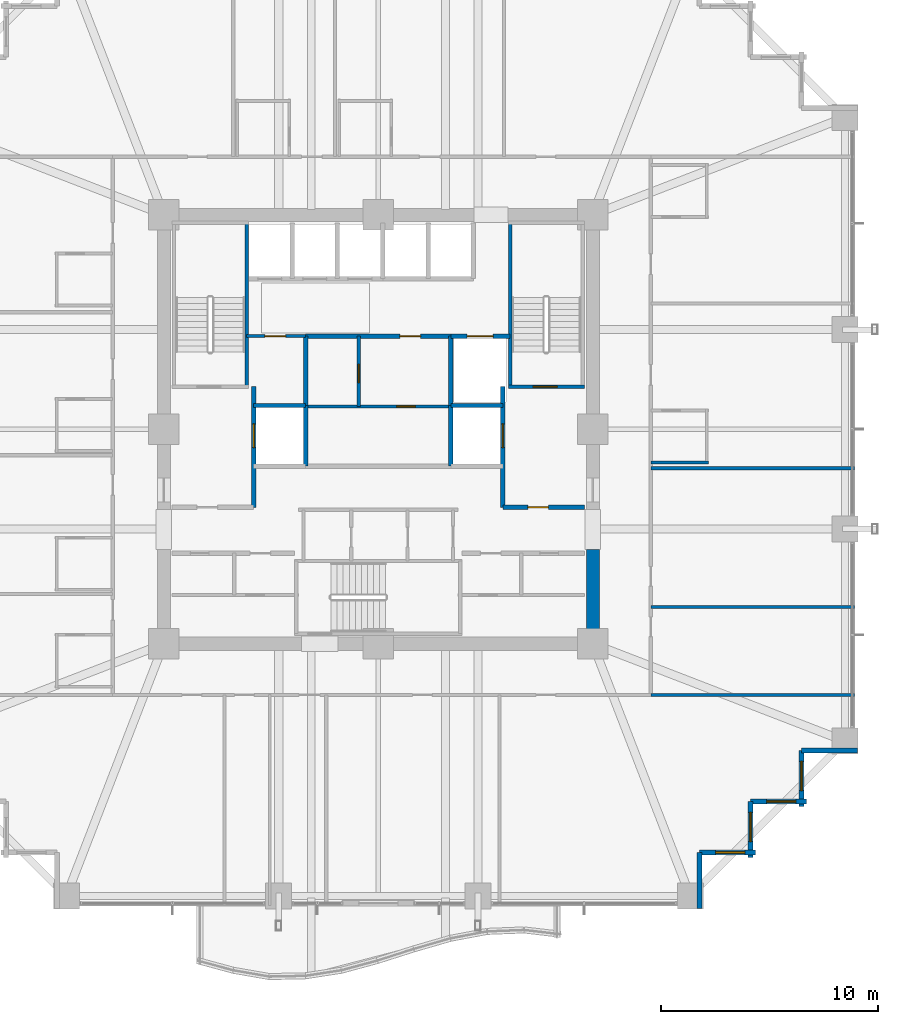
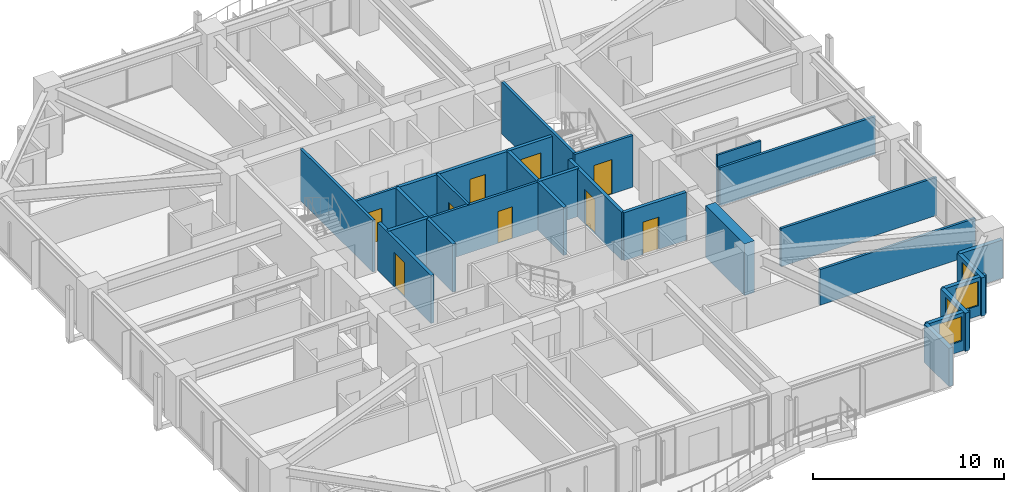
# One storey, part 33 of 38: 28 walls, 9 doors, 4 windows, 13 openings.
"""IFC4 building model written with IfcOpenShell, lengths in metres."""

import ifcopenshell
import ifcopenshell.guid

model = None  # the IFC model being written
_history = None  # IfcOwnerHistory: only IFC2X3 demands one
_inside = {}  # id of a spatial element -> (the spatial element, [elements in it])
_under = {}  # id of a project, library or spatial element -> (it, [spatial elements below it])
_declared = {}  # id of a project -> (the project, [libraries it declares])
_typed = {}  # id of a type object -> (the type object, [elements of that type])
_made_of = {}  # id of a material, layer set ... -> (it, [elements and type objects made of it])


def new_model(schema):
    """Start an empty IFC model of exactly this schema.

    Asked for "IFC4X3", IfcOpenShell would pick the latest addendum, in which some entities
    have other attributes; the version numbers below select the first issue.
    IFC2X3 requires an IfcOwnerHistory on every rooted entity: one is made here for all.
    """
    global model, _history
    if schema == "IFC4X3":
        model = ifcopenshell.file(schema_version=(4, 3, 0, 0))
    else:
        model = ifcopenshell.file(schema=schema)
    _inside.clear()
    _under.clear()
    _declared.clear()
    _typed.clear()
    _made_of.clear()
    _history = None
    if model.schema == "IFC2X3":
        org = make("IfcOrganization", Name="unknown")
        user = make(
            "IfcPersonAndOrganization",
            ThePerson=make("IfcPerson", FamilyName="unknown"),
            TheOrganization=org,
        )
        app = make(
            "IfcApplication",
            ApplicationDeveloper=org,
            Version="unknown",
            ApplicationFullName="unknown",
            ApplicationIdentifier="unknown",
        )
        _history = make(
            "IfcOwnerHistory",
            OwningUser=user,
            OwningApplication=app,
            ChangeAction="ADDED",
            CreationDate=0,
        )
    return model


def make(cls, **values):
    """One entity of the class cls with the attributes given. An attribute that is None is left unset."""
    return model.create_entity(
        cls, **{name: value for name, value in values.items() if value is not None}
    )


def rooted(cls, **values):
    """An entity with a GlobalId (a new one), such as an element, a storey or a relation."""
    return make(cls, GlobalId=ifcopenshell.guid.new(), OwnerHistory=_history, **values)


def si_unit(unit_type, name, prefix=None):
    """IfcSIUnit, for example si_unit("LENGTHUNIT", "METRE", prefix="MILLI")."""
    return make("IfcSIUnit", UnitType=unit_type, Prefix=prefix, Name=name)


def assignment(units):
    """IfcUnitAssignment: the units of a project."""
    return None if units is None else make("IfcUnitAssignment", Units=units)


def point(xyz):
    """IfcCartesianPoint."""
    return None if xyz is None else make("IfcCartesianPoint", Coordinates=xyz)


def direction(xyz):
    """IfcDirection."""
    return None if xyz is None else make("IfcDirection", DirectionRatios=xyz)


def frame(location, z_axis=None, x_axis=None):
    """IfcAxis2Placement3D, a coordinate frame: its origin and axes. An axis left out is left unset."""
    return make(
        "IfcAxis2Placement3D",
        Location=point(location),
        Axis=direction(z_axis),
        RefDirection=direction(x_axis),
    )


def frame_2d(location, x_axis=None):
    """IfcAxis2Placement2D, a coordinate frame in the plane: its origin and x axis."""
    return make(
        "IfcAxis2Placement2D", Location=point(location), RefDirection=direction(x_axis)
    )


def origin():
    """The frame at (0, 0, 0) with its axes left unset."""
    return frame((0.0, 0.0, 0.0))


def place(relative_to, where):
    """IfcLocalPlacement: puts the frame where relative to a parent placement (None: the world)."""
    return make(
        "IfcLocalPlacement", PlacementRelTo=relative_to, RelativePlacement=where
    )


def context(
    kind, dimensions, precision=None, world=None, true_north=None, identifier=None
):
    """IfcGeometricRepresentationContext, for example the 3D "Model" context."""
    return make(
        "IfcGeometricRepresentationContext",
        ContextIdentifier=identifier,
        ContextType=kind,
        CoordinateSpaceDimension=dimensions,
        Precision=precision,
        WorldCoordinateSystem=world,
        TrueNorth=true_north,
    )


def subcontext(parent, identifier, kind, view, scale=None):
    """IfcGeometricRepresentationSubContext, for example "Body" below "Model"."""
    return make(
        "IfcGeometricRepresentationSubContext",
        ContextIdentifier=identifier,
        ContextType=kind,
        ParentContext=parent,
        TargetScale=scale,
        TargetView=view,
    )


def project(units=None, contexts=None):
    """IfcProject with its units and contexts."""
    return rooted(
        "IfcProject",
        Name="project",
        RepresentationContexts=contexts,
        UnitsInContext=assignment(units),
    )


def spatial(cls, under=None, at=None, **own):
    """A site, building, storey or space (cls), placed at a placement, below another one or the project."""
    s = rooted(cls, ObjectPlacement=at, **own)
    if under is not None:
        _under.setdefault(under.id(), (under, []))[1].append(s)
    return s


def profile(cls, at=None, kind="AREA", **sizes):
    """A parametric profile (cls). Its sizes go by their IFC names, for example OverallWidth=200.0."""
    return make(cls, ProfileType=kind, Position=at, **sizes)


def rectangle(**sizes):
    """IfcRectangleProfileDef."""
    return profile("IfcRectangleProfileDef", **sizes)


def extrude(swept, where, along, depth):
    """IfcExtrudedAreaSolid: the profile swept, set in the frame where, extruded along a direction by depth."""
    return make(
        "IfcExtrudedAreaSolid",
        SweptArea=swept,
        Position=where,
        ExtrudedDirection=direction(along),
        Depth=depth,
    )


def shape(context_of_items, identifier, shape_type, items):
    """IfcShapeRepresentation: the items that make up one representation, for example the "Body"."""
    return make(
        "IfcShapeRepresentation",
        ContextOfItems=context_of_items,
        RepresentationIdentifier=identifier,
        RepresentationType=shape_type,
        Items=items,
    )


def material(Name=None, Category=None):
    """IfcMaterial."""
    return make("IfcMaterial", Name=Name, Category=Category)


def layer(
    of_material, thickness, ventilated=None, Name=None, Category=None, Priority=None
):
    """IfcMaterialLayer: one layer of a wall or slab, of a material (None: an air gap)."""
    return make(
        "IfcMaterialLayer",
        Material=of_material,
        LayerThickness=thickness,
        IsVentilated=ventilated,
        Name=Name,
        Category=Category,
        Priority=Priority,
    )


def layer_set(layers, Name=None):
    """IfcMaterialLayerSet."""
    return make("IfcMaterialLayerSet", MaterialLayers=layers, LayerSetName=Name)


def made_of(thing, what):
    """Note that an element or type object is made of a material, layer set ...; save() writes the relation."""
    if what is not None:
        _made_of.setdefault(what.id(), (what, []))[1].append(thing)
    return thing


def type_object(cls, material=None, **own):
    """A type object (cls), such as IfcWallType, which elements share."""
    return made_of(rooted(cls, **own), material)


def element(
    cls,
    number,
    at=None,
    inside=None,
    cuts=None,
    type_object=None,
    material=None,
    context=None,
    identifier="Body",
    shape_type=None,
    held_by="IfcProductDefinitionShape",
    body=None,
    shapes=None,
    **own,
):
    """One element of the class cls, such as IfcWall. Its Tag is "e" and its number.

    at: its placement. inside: the storey or other place that contains it. cuts: it is an
    opening in that element (IfcRelVoidsElement). A single representation is given by context,
    identifier, shape_type and body (its items); several are given by shapes. held_by: the class
    of the entity that holds the representations. save() writes the other relations.
    """
    e = rooted(cls, Tag="e%d" % number, ObjectPlacement=at, **own)
    if body is not None:
        shapes = [shape(context, identifier, shape_type, body)]
    if shapes is not None:
        e.Representation = make(held_by, Representations=shapes)
    if inside is not None:
        _inside.setdefault(inside.id(), (inside, []))[1].append(e)
    if cuts is not None:
        rooted(
            "IfcRelVoidsElement", RelatingBuildingElement=cuts, RelatedOpeningElement=e
        )
    if type_object is not None:
        _typed.setdefault(type_object.id(), (type_object, []))[1].append(e)
    return made_of(e, material)


def fill(opening, filler):
    """IfcRelFillsElement: the door or window that sits in an opening."""
    return rooted(
        "IfcRelFillsElement",
        RelatingOpeningElement=opening,
        RelatedBuildingElement=filler,
    )


def aggregate(whole, parts):
    """IfcRelAggregates: a whole, such as a stair, and the parts it consists of."""
    return rooted("IfcRelAggregates", RelatingObject=whole, RelatedObjects=parts)


def save(model, path):
    """Write the relations noted so far, then the file.

    IfcRelAggregates (storeys below a building ...), IfcRelContainedInSpatialStructure (elements
    in a storey), IfcRelDefinesByType, IfcRelAssociatesMaterial and IfcRelDeclares: one each for
    every whole, place, type object, material and project.
    """
    for whole, parts in _under.values():
        aggregate(whole, parts)
    for where, things in _inside.values():
        rooted(
            "IfcRelContainedInSpatialStructure",
            RelatedElements=things,
            RelatingStructure=where,
        )
    for kind, things in _typed.values():
        rooted("IfcRelDefinesByType", RelatedObjects=things, RelatingType=kind)
    for what, things in _made_of.values():
        rooted("IfcRelAssociatesMaterial", RelatedObjects=things, RelatingMaterial=what)
    for by, libraries in _declared.values():
        rooted("IfcRelDeclares", RelatingContext=by, RelatedDefinitions=libraries)
    model.write(path)


model = new_model("IFC4")

# Units and contexts
model_context = context("Model", 3, precision=1e-05, world=origin(), true_north=direction((0.0, 1.0)))
body_context = subcontext(model_context, "Body", "Model", "MODEL_VIEW")
ifc_project = project(units=[si_unit("LENGTHUNIT", "METRE"), si_unit("AREAUNIT", "SQUARE_METRE"), si_unit("VOLUMEUNIT", "CUBIC_METRE"), si_unit("PLANEANGLEUNIT", "RADIAN"), si_unit("MASSUNIT", "GRAM", prefix="KILO")], contexts=[model_context])

# Site, building, storey
site_placement = place(None, origin())
site = spatial("IfcSite", under=ifc_project, at=site_placement, CompositionType="ELEMENT")
building_placement = place(site_placement, origin())
building = spatial("IfcBuilding", under=site, at=building_placement, Name="Kolvaren Belvedere", CompositionType="ELEMENT")
storey_placement = place(building_placement, frame((0.0, 0.0, 50.199951171875)))
storey = spatial("IfcBuildingStorey", under=building, at=storey_placement, Name="L14", CompositionType="ELEMENT", Elevation=50.199951171875)

# Walls
ifc_material_1 = material(Name="Concrete C60/75", Category="concrete")
ifc_layer_1 = layer(ifc_material_1, 0.60009765625)
ifc_layer_set_1 = layer_set([ifc_layer_1], Name="Concrete C60/75")
wall_type_1 = type_object("IfcWallType", Name="CW-CORE-600", PredefinedType="SHEAR", material=ifc_layer_set_1)
wall_1_placement = place(storey_placement, frame((9.89990234375, -9.60009765625, 0.0), z_axis=(0.0, 0.0, 1.0), x_axis=(0.0, 1.0, 0.0)))
element("IfcWall", 1, at=wall_1_placement, inside=storey, type_object=wall_type_1, Name="L14 East Core Shear Wall 1", PredefinedType="SHEAR", context=body_context, shape_type="SweptSolid", body=[
    extrude(rectangle(XDim=4.050048828125, YDim=0.60009765625, at=frame_2d((2.02490234375, 0.0))), origin(), (0.0, 0.0, 1.0), 3.300048828125),
])
ifc_material_2 = material(Name="Concrete C50/60", Category="concrete")
ifc_layer_2 = layer(ifc_material_2, 0.159912109375)
ifc_layer_set_2 = layer_set([ifc_layer_2], Name="Concrete C50/60")
wall_type_2 = type_object("IfcWallType", Name="CW-STAIR-160", PredefinedType="SHEAR", material=ifc_layer_set_2)
wall_2_placement = place(storey_placement, frame((-6.080078125, 1.969970703125, 0.0), z_axis=(0.0, 0.0, 1.0), x_axis=(0.0, 1.0, 0.0)))
element("IfcWall", 2, at=wall_2_placement, inside=storey, type_object=wall_type_2, Name="L14 Stair ST-1 East Shear Wall", PredefinedType="SHEAR", context=body_context, shape_type="SweptSolid", body=[
    extrude(rectangle(XDim=7.56005859375, YDim=0.159912109375, at=frame_2d((3.780029296875, 0.0))), origin(), (0.0, 0.0, 1.0), 3.300048828125),
])

# Wall, opening, door
wall_3_placement = place(storey_placement, frame((6.0, 1.969970703125, 0.0), z_axis=(0.0, 0.0, 1.0), x_axis=(1.0, 0.0, 0.0)))
wall_3 = element("IfcWall", 3, at=wall_3_placement, inside=storey, type_object=wall_type_2, Name="L14 Stair ST-2 South Shear Wall", PredefinedType="SHEAR", context=body_context, shape_type="SweptSolid", body=[
    extrude(rectangle(XDim=3.52001953125, YDim=0.159912109375, at=frame_2d((1.760009765625, 0.0))), origin(), (0.0, 0.0, 1.0), 3.300048828125),
])
opening_1_placement = place(wall_3_placement, frame((1.14990234375, 0.0, 0.0)))
opening_1 = element("IfcOpeningElement", 4, at=opening_1_placement, cuts=wall_3, Name="Opening D-FD90", PredefinedType="OPENING", context=body_context, shape_type="SweptSolid", body=[
    extrude(rectangle(XDim=1.10009765625, YDim=2.199951171875, at=frame_2d((0.550048828125, 1.10009765625))), frame((0.0, 0.08984375, 0.0), z_axis=(0.0, -1.0, 0.0), x_axis=(1.0, 0.0, 0.0)), (0.0, 0.0, 1.0), 0.179931640625),
])
ifc_material_3 = material(Name="Painted hollow stainless steel", Category="steel")
door_type_1 = type_object("IfcDoorType", Name="DR-FD90-1100", OperationType="NOTDEFINED", PredefinedType="DOOR", material=ifc_material_3)
door_1_placement = place(opening_1_placement, origin())
door_1 = element("IfcDoor", 5, at=door_1_placement, inside=storey, type_object=door_type_1, Name="L14 Stair ST-2 Fire Door", OperationType="SINGLE_SWING_RIGHT", OverallHeight=2.199951171875, OverallWidth=1.10009765625, PredefinedType="DOOR", context=body_context, shape_type="SweptSolid", body=[
    extrude(rectangle(XDim=1.10009765625, YDim=2.199951171875, at=frame_2d((0.550048828125, 1.10009765625))), frame((0.0, 0.02490234375, 0.0), z_axis=(0.0, -1.0, 0.0), x_axis=(1.0, 0.0, 0.0)), (0.0, 0.0, 1.0), 0.050048828125),
])
fill(opening_1, door_1)

# Walls
wall_4_placement = place(storey_placement, frame((6.080078125, 1.969970703125, 0.0), z_axis=(0.0, 0.0, 1.0), x_axis=(0.0, 1.0, 0.0)))
element("IfcWall", 6, at=wall_4_placement, inside=storey, type_object=wall_type_2, Name="L14 Stair ST-2 West Shear Wall", PredefinedType="SHEAR", context=body_context, shape_type="SweptSolid", body=[
    extrude(rectangle(XDim=7.56005859375, YDim=0.159912109375, at=frame_2d((3.780029296875, 0.0))), origin(), (0.0, 0.0, 1.0), 3.300048828125),
])
ifc_material_4 = material(Name="Insulated pale-metal facade wall assembly", Category="aluminium")
ifc_layer_3 = layer(ifc_material_4, 0.239990234375)
ifc_layer_set_3 = layer_set([ifc_layer_3], Name="Insulated pale-metal facade wall assembly")
wall_type_3 = type_object("IfcWallType", Name="WL-EXT-240", PredefinedType="STANDARD", material=ifc_layer_set_3)
wall_5_placement = place(storey_placement, frame((14.830078125, -19.530029296875, 0.0), z_axis=(0.0, 0.0, 1.0), x_axis=(0.0, -1.0, 0.0)))
element("IfcWall", 7, at=wall_5_placement, inside=storey, type_object=wall_type_3, Name="L14 Serrated Corner Facade Wall 2", PredefinedType="STANDARD", context=body_context, shape_type="SweptSolid", body=[
    extrude(rectangle(XDim=2.590087890625, YDim=0.239990234375, at=frame_2d((1.294921875, 0.0))), origin(), (0.0, 0.0, 1.0), 2.43896484375),
])

# Wall, opening, window
wall_6_placement = place(storey_placement, frame((17.419921875, -19.530029296875, 0.0), z_axis=(0.0, 0.0, 1.0), x_axis=(-1.0, 0.0, 0.0)))
wall_6 = element("IfcWall", 8, at=wall_6_placement, inside=storey, type_object=wall_type_3, Name="L14 Serrated Corner Facade Wall 3", PredefinedType="STANDARD", context=body_context, shape_type="SweptSolid", body=[
    extrude(rectangle(XDim=2.58984375, YDim=0.239990234375, at=frame_2d((1.294921875, 0.0))), origin(), (0.0, 0.0, 1.0), 2.43896484375),
])
opening_2_placement = place(wall_6_placement, frame((0.5, 0.0, 0.64990234375)))
opening_2 = element("IfcOpeningElement", 9, at=opening_2_placement, cuts=wall_6, Name="Opening W-1350", PredefinedType="OPENING", context=body_context, shape_type="SweptSolid", body=[
    extrude(rectangle(XDim=1.35009765625, YDim=1.550048828125, at=frame_2d((0.675048828125, 0.77490234375))), frame((0.0, 0.1298828125, 0.0), z_axis=(0.0, -1.0, 0.0), x_axis=(1.0, 0.0, 0.0)), (0.0, 0.0, 1.0), 0.260009765625),
])
ifc_material_5 = material(Name="Low-iron triple insulated glass", Category="glass")
window_type = type_object("IfcWindowType", Name="WN-CORN-1350", PartitioningType="SINGLE_PANEL", PredefinedType="WINDOW", material=ifc_material_5)
window_1_placement = place(opening_2_placement, origin())
window_1 = element("IfcWindow", 10, at=window_1_placement, inside=storey, type_object=window_type, Name="L14 Serrated Corner Vision Window 3", OverallHeight=1.550048828125, OverallWidth=1.35009765625, PartitioningType="SINGLE_PANEL", PredefinedType="WINDOW", context=body_context, shape_type="SweptSolid", body=[
    extrude(rectangle(XDim=1.35009765625, YDim=1.550048828125, at=frame_2d((0.675048828125, 0.77490234375))), frame((0.0, 0.030029296875, 0.0), z_axis=(0.0, -1.0, 0.0), x_axis=(1.0, 0.0, 0.0)), (0.0, 0.0, 1.0), 0.06005859375),
])
fill(opening_2, window_1)

wall_7_placement = place(storey_placement, frame((17.179931640625, -17.179931640625, 0.0), z_axis=(0.0, 0.0, 1.0), x_axis=(0.0, -1.0, 0.0)))
wall_7 = element("IfcWall", 11, at=wall_7_placement, inside=storey, type_object=wall_type_3, Name="L14 Serrated Corner Facade Wall 4", PredefinedType="STANDARD", context=body_context, shape_type="SweptSolid", body=[
    extrude(rectangle(XDim=2.590087890625, YDim=0.239990234375, at=frame_2d((1.294921875, 0.0))), origin(), (0.0, 0.0, 1.0), 2.43896484375),
])
opening_3_placement = place(wall_7_placement, frame((0.5, 0.0, 0.64990234375)))
opening_3 = element("IfcOpeningElement", 12, at=opening_3_placement, cuts=wall_7, Name="Opening W-1350", PredefinedType="OPENING", context=body_context, shape_type="SweptSolid", body=[
    extrude(rectangle(XDim=1.35009765625, YDim=1.550048828125, at=frame_2d((0.675048828125, 0.77490234375))), frame((0.0, 0.1298828125, 0.0), z_axis=(0.0, -1.0, 0.0), x_axis=(1.0, 0.0, 0.0)), (0.0, 0.0, 1.0), 0.260009765625),
])
window_2_placement = place(opening_3_placement, origin())
window_2 = element("IfcWindow", 13, at=window_2_placement, inside=storey, type_object=window_type, Name="L14 Serrated Corner Vision Window 4", OverallHeight=1.550048828125, OverallWidth=1.35009765625, PartitioningType="SINGLE_PANEL", PredefinedType="WINDOW", context=body_context, shape_type="SweptSolid", body=[
    extrude(rectangle(XDim=1.35009765625, YDim=1.550048828125, at=frame_2d((0.675048828125, 0.77490234375))), frame((0.0, 0.030029296875, 0.0), z_axis=(0.0, -1.0, 0.0), x_axis=(1.0, 0.0, 0.0)), (0.0, 0.0, 1.0), 0.06005859375),
])
fill(opening_3, window_2)

wall_8_placement = place(storey_placement, frame((19.77001953125, -17.179931640625, 0.0), z_axis=(0.0, 0.0, 1.0), x_axis=(-1.0, 0.0, 0.0)))
wall_8 = element("IfcWall", 14, at=wall_8_placement, inside=storey, type_object=wall_type_3, Name="L14 Serrated Corner Facade Wall 5", PredefinedType="STANDARD", context=body_context, shape_type="SweptSolid", body=[
    extrude(rectangle(XDim=2.590087890625, YDim=0.239990234375, at=frame_2d((1.294921875, 0.0))), origin(), (0.0, 0.0, 1.0), 2.43896484375),
])
opening_4_placement = place(wall_8_placement, frame((0.5, 0.0, 0.64990234375)))
opening_4 = element("IfcOpeningElement", 15, at=opening_4_placement, cuts=wall_8, Name="Opening W-1350", PredefinedType="OPENING", context=body_context, shape_type="SweptSolid", body=[
    extrude(rectangle(XDim=1.35009765625, YDim=1.550048828125, at=frame_2d((0.675048828125, 0.77490234375))), frame((0.0, 0.1298828125, 0.0), z_axis=(0.0, -1.0, 0.0), x_axis=(1.0, 0.0, 0.0)), (0.0, 0.0, 1.0), 0.260009765625),
])
window_3_placement = place(opening_4_placement, origin())
window_3 = element("IfcWindow", 16, at=window_3_placement, inside=storey, type_object=window_type, Name="L14 Serrated Corner Vision Window 5", OverallHeight=1.550048828125, OverallWidth=1.35009765625, PartitioningType="SINGLE_PANEL", PredefinedType="WINDOW", context=body_context, shape_type="SweptSolid", body=[
    extrude(rectangle(XDim=1.35009765625, YDim=1.550048828125, at=frame_2d((0.675048828125, 0.77490234375))), frame((0.0, 0.030029296875, 0.0), z_axis=(0.0, -1.0, 0.0), x_axis=(1.0, 0.0, 0.0)), (0.0, 0.0, 1.0), 0.06005859375),
])
fill(opening_4, window_3)

wall_9_placement = place(storey_placement, frame((19.530029296875, -14.830078125, 0.0), z_axis=(0.0, 0.0, 1.0), x_axis=(0.0, -1.0, 0.0)))
wall_9 = element("IfcWall", 17, at=wall_9_placement, inside=storey, type_object=wall_type_3, Name="L14 Serrated Corner Facade Wall 6", PredefinedType="STANDARD", context=body_context, shape_type="SweptSolid", body=[
    extrude(rectangle(XDim=2.58984375, YDim=0.239990234375, at=frame_2d((1.294921875, 0.0))), origin(), (0.0, 0.0, 1.0), 2.43896484375),
])
opening_5_placement = place(wall_9_placement, frame((0.5, 0.0, 0.64990234375)))
opening_5 = element("IfcOpeningElement", 18, at=opening_5_placement, cuts=wall_9, Name="Opening W-1350", PredefinedType="OPENING", context=body_context, shape_type="SweptSolid", body=[
    extrude(rectangle(XDim=1.35009765625, YDim=1.550048828125, at=frame_2d((0.675048828125, 0.77490234375))), frame((0.0, 0.1298828125, 0.0), z_axis=(0.0, -1.0, 0.0), x_axis=(1.0, 0.0, 0.0)), (0.0, 0.0, 1.0), 0.260009765625),
])
window_4_placement = place(opening_5_placement, origin())
window_4 = element("IfcWindow", 19, at=window_4_placement, inside=storey, type_object=window_type, Name="L14 Serrated Corner Vision Window 6", OverallHeight=1.550048828125, OverallWidth=1.35009765625, PartitioningType="SINGLE_PANEL", PredefinedType="WINDOW", context=body_context, shape_type="SweptSolid", body=[
    extrude(rectangle(XDim=1.35009765625, YDim=1.550048828125, at=frame_2d((0.675048828125, 0.77490234375))), frame((0.0, 0.030029296875, 0.0), z_axis=(0.0, -1.0, 0.0), x_axis=(1.0, 0.0, 0.0)), (0.0, 0.0, 1.0), 0.06005859375),
])
fill(opening_5, window_4)

# Wall
wall_10_placement = place(storey_placement, frame((22.1201171875, -14.830078125, 0.0), z_axis=(0.0, 0.0, 1.0), x_axis=(-1.0, 0.0, 0.0)))
element("IfcWall", 20, at=wall_10_placement, inside=storey, type_object=wall_type_3, Name="L14 Serrated Corner Facade Wall 7", PredefinedType="STANDARD", context=body_context, shape_type="SweptSolid", body=[
    extrude(rectangle(XDim=2.590087890625, YDim=0.239990234375, at=frame_2d((1.294921875, 0.0))), origin(), (0.0, 0.0, 1.0), 2.43896484375),
])

# Wall, opening, door
ifc_material_6 = material(Name="Gypsum acoustic partition assembly", Category="gypsum")
ifc_layer_4 = layer(ifc_material_6, 0.14990234375)
ifc_layer_set_4 = layer_set([ifc_layer_4], Name="Gypsum acoustic partition assembly")
wall_type_4 = type_object("IfcWallType", Name="WL-PART-150", PredefinedType="PARTITIONING", material=ifc_layer_set_4)
wall_11_placement = place(storey_placement, frame((-3.35009765625, 1.050048828125, 0.0), z_axis=(0.0, 0.0, 1.0), x_axis=(1.0, 0.0, 0.0)))
wall_11 = element("IfcWall", 21, at=wall_11_placement, inside=storey, type_object=wall_type_4, Name="L14 Central Core H-Divider", PredefinedType="PARTITIONING", context=body_context, shape_type="SweptSolid", body=[
    extrude(rectangle(XDim=6.7001953125, YDim=0.14990234375, at=frame_2d((3.35009765625, 0.0))), origin(), (0.0, 0.0, 1.0), 3.06005859375),
])
opening_6_placement = place(wall_11_placement, frame((4.199951171875, 0.0, 0.0)))
opening_6 = element("IfcOpeningElement", 22, at=opening_6_placement, cuts=wall_11, Name="Opening D-INT85", PredefinedType="OPENING", context=body_context, shape_type="SweptSolid", body=[
    extrude(rectangle(XDim=0.85009765625, YDim=2.030029296875, at=frame_2d((0.425048828125, 1.01513671875))), frame((0.0, 0.0849609375, 0.0), z_axis=(0.0, -1.0, 0.0), x_axis=(1.0, 0.0, 0.0)), (0.0, 0.0, 1.0), 0.169921875),
])
ifc_material_7 = material(Name="Stained Pacific white oak", Category="timber")
door_type_2 = type_object("IfcDoorType", Name="DR-INT-850", OperationType="NOTDEFINED", PredefinedType="DOOR", material=ifc_material_7)
door_2_placement = place(opening_6_placement, origin())
door_2 = element("IfcDoor", 23, at=door_2_placement, inside=storey, type_object=door_type_2, Name="L14 Central Metering Door", OperationType="SINGLE_SWING_LEFT", OverallHeight=2.030029296875, OverallWidth=0.85009765625, PredefinedType="DOOR", context=body_context, shape_type="SweptSolid", body=[
    extrude(rectangle(XDim=0.85009765625, YDim=2.030029296875, at=frame_2d((0.425048828125, 1.01513671875))), frame((0.0, 0.02490234375, 0.0), z_axis=(0.0, -1.0, 0.0), x_axis=(1.0, 0.0, 0.0)), (0.0, 0.0, 1.0), 0.050048828125),
])
fill(opening_6, door_2)

wall_12_placement = place(storey_placement, frame((-0.89990234375, 1.050048828125, 0.0), z_axis=(0.0, 0.0, 1.0), x_axis=(0.0, 1.0, 0.0)))
wall_12 = element("IfcWall", 24, at=wall_12_placement, inside=storey, type_object=wall_type_4, Name="L14 Central Core V-Divider", PredefinedType="PARTITIONING", context=body_context, shape_type="SweptSolid", body=[
    extrude(rectangle(XDim=3.25, YDim=0.14990234375, at=frame_2d((1.625, 0.0))), origin(), (0.0, 0.0, 1.0), 3.06005859375),
])
opening_7_placement = place(wall_12_placement, frame((1.10009765625, 0.0, 0.0)))
opening_7 = element("IfcOpeningElement", 25, at=opening_7_placement, cuts=wall_12, Name="Opening D-INT85", PredefinedType="OPENING", context=body_context, shape_type="SweptSolid", body=[
    extrude(rectangle(XDim=0.85009765625, YDim=2.030029296875, at=frame_2d((0.425048828125, 1.01513671875))), frame((0.0, 0.0849609375, 0.0), z_axis=(0.0, -1.0, 0.0), x_axis=(1.0, 0.0, 0.0)), (0.0, 0.0, 1.0), 0.169921875),
])
door_3_placement = place(opening_7_placement, origin())
door_3 = element("IfcDoor", 26, at=door_3_placement, inside=storey, type_object=door_type_2, Name="L14 Central Telecom Door", OperationType="SINGLE_SWING_RIGHT", OverallHeight=2.030029296875, OverallWidth=0.85009765625, PredefinedType="DOOR", context=body_context, shape_type="SweptSolid", body=[
    extrude(rectangle(XDim=0.85009765625, YDim=2.030029296875, at=frame_2d((0.425048828125, 1.01513671875))), frame((0.0, 0.02490234375, 0.0), z_axis=(0.0, -1.0, 0.0), x_axis=(1.0, 0.0, 0.0)), (0.0, 0.0, 1.0), 0.050048828125),
])
fill(opening_7, door_3)

wall_13_placement = place(storey_placement, frame((-6.080078125, 4.300048828125, 0.0), z_axis=(0.0, 0.0, 1.0), x_axis=(1.0, 0.0, 0.0)))
wall_13 = element("IfcWall", 27, at=wall_13_placement, inside=storey, type_object=wall_type_4, Name="L14 NW Service Room North Wall", PredefinedType="PARTITIONING", context=body_context, shape_type="SweptSolid", body=[
    extrude(rectangle(XDim=2.72998046875, YDim=0.14990234375, at=frame_2d((1.364990234375, 0.0))), origin(), (0.0, 0.0, 1.0), 3.06005859375),
])
opening_8_placement = place(wall_13_placement, frame((0.85009765625, 0.0, 0.0)))
opening_8 = element("IfcOpeningElement", 28, at=opening_8_placement, cuts=wall_13, Name="Opening D-FD60", PredefinedType="OPENING", context=body_context, shape_type="SweptSolid", body=[
    extrude(rectangle(XDim=0.949951171875, YDim=2.06005859375, at=frame_2d((0.47509765625, 1.030029296875))), frame((0.0, 0.0849609375, 0.0), z_axis=(0.0, -1.0, 0.0), x_axis=(1.0, 0.0, 0.0)), (0.0, 0.0, 1.0), 0.169921875),
])
ifc_material_8 = material(Name="Acoustic white-oak fire door leaf", Category="timber")
door_type_3 = type_object("IfcDoorType", Name="DR-FD60-950", OperationType="NOTDEFINED", PredefinedType="DOOR", material=ifc_material_8)
door_4_placement = place(opening_8_placement, origin())
door_4 = element("IfcDoor", 29, at=door_4_placement, inside=storey, type_object=door_type_3, Name="L14 NW Core Store Door", OperationType="SINGLE_SWING_RIGHT", OverallHeight=2.06005859375, OverallWidth=0.949951171875, PredefinedType="DOOR", context=body_context, shape_type="SweptSolid", body=[
    extrude(rectangle(XDim=0.949951171875, YDim=2.06005859375, at=frame_2d((0.47509765625, 1.030029296875))), frame((0.0, 0.02490234375, 0.0), z_axis=(0.0, -1.0, 0.0), x_axis=(1.0, 0.0, 0.0)), (0.0, 0.0, 1.0), 0.050048828125),
])
fill(opening_8, door_4)

# Walls
wall_14_placement = place(storey_placement, frame((12.580078125, -12.260009765625, 0.0), z_axis=(0.0, 0.0, 1.0), x_axis=(1.0, 0.0, 0.0)))
element("IfcWall", 30, at=wall_14_placement, inside=storey, type_object=wall_type_4, Name="L14 Wing Divider PW-L14-QSE", PredefinedType="PARTITIONING", context=body_context, shape_type="SweptSolid", body=[
    extrude(rectangle(XDim=9.39990234375, YDim=0.14990234375, at=frame_2d((4.699951171875, 0.0))), origin(), (0.0, 0.0, 1.0), 2.27197265625),
])
for number, where, z_axis, x_axis, name in (
    (31, (12.580078125, -8.199951171875, 0.0), (0.0, 0.0, 1.0), (1.0, 0.0, 0.0), "L14 East Suite Demising Wall 1"),
    (32, (12.580078125, -1.800048828125, 0.0), (0.0, 0.0, 1.0), (1.0, 0.0, 0.0), "L14 East Suite Demising Wall 2"),
):
    element("IfcWall", number, at=place(storey_placement, frame(where, z_axis=z_axis, x_axis=x_axis)), inside=storey, type_object=wall_type_4, Name=name, PredefinedType="PARTITIONING", context=body_context, shape_type="SweptSolid", body=[
        extrude(rectangle(XDim=9.39990234375, YDim=0.14990234375, at=frame_2d((4.699951171875, 0.0))), origin(), (0.0, 0.0, 1.0), 2.428955078125),
    ])

# Wall, opening, door
ifc_material_9 = material(Name="Concrete C50/60", Category="concrete")
ifc_layer_5 = layer(ifc_material_9, 0.199951171875)
ifc_layer_set_5 = layer_set([ifc_layer_5], Name="Concrete C50/60")
wall_type_5 = type_object("IfcWallType", Name="WL-SHAFT-200", PredefinedType="SOLIDWALL", material=ifc_layer_set_5)
wall_15_placement = place(storey_placement, frame((-5.75, -3.60009765625, 0.0), z_axis=(0.0, 0.0, 1.0), x_axis=(0.0, 1.0, 0.0)))
wall_15 = element("IfcWall", 33, at=wall_15_placement, inside=storey, type_object=wall_type_5, Name="L14 FSAE FS1 Landing Wall", PredefinedType="SOLIDWALL", context=body_context, shape_type="SweptSolid", body=[
    extrude(rectangle(XDim=5.570068359375, YDim=0.199951171875, at=frame_2d((2.78515625, 0.0))), origin(), (0.0, 0.0, 1.0), 3.06005859375),
])
opening_9_placement = place(wall_15_placement, frame((2.75, 0.0, 0.0)))
opening_9 = element("IfcOpeningElement", 34, at=opening_9_placement, cuts=wall_15, Name="Opening LD-11", PredefinedType="OPENING", context=body_context, shape_type="SweptSolid", body=[
    extrude(rectangle(XDim=1.10009765625, YDim=2.199951171875, at=frame_2d((0.550048828125, 1.10009765625))), frame((0.0, 0.10986328125, 0.0), z_axis=(0.0, -1.0, 0.0), x_axis=(1.0, 0.0, 0.0)), (0.0, 0.0, 1.0), 0.219970703125),
])
ifc_material_10 = material(Name="Brushed stainless steel", Category="steel")
door_type_4 = type_object("IfcDoorType", Name="DR-LIFT-1100", OperationType="DOUBLE_DOOR_SLIDING", PredefinedType="DOOR", material=ifc_material_10)
door_5_placement = place(opening_9_placement, origin())
door_5 = element("IfcDoor", 35, at=door_5_placement, inside=storey, type_object=door_type_4, Name="L14 Firefighting Lift FS1 Landing Door", OperationType="DOUBLE_DOOR_SLIDING", OverallHeight=2.199951171875, OverallWidth=1.10009765625, PredefinedType="DOOR", context=body_context, shape_type="SweptSolid", body=[
    extrude(rectangle(XDim=1.10009765625, YDim=2.199951171875, at=frame_2d((0.550048828125, 1.10009765625))), frame((0.0, 0.02490234375, 0.0), z_axis=(0.0, -1.0, 0.0), x_axis=(1.0, 0.0, 0.0)), (0.0, 0.0, 1.0), 0.050048828125),
])
fill(opening_9, door_5)

# Walls
wall_16_placement = place(storey_placement, frame((-3.35009765625, -1.699951171875, 0.0), z_axis=(0.0, 0.0, 1.0), x_axis=(0.0, 1.0, 0.0)))
element("IfcWall", 36, at=wall_16_placement, inside=storey, type_object=wall_type_5, Name="L14 FSAE FS1 Back Wall", PredefinedType="SOLIDWALL", context=body_context, shape_type="SweptSolid", body=[
    extrude(rectangle(XDim=2.800048828125, YDim=0.199951171875, at=frame_2d((1.39990234375, 0.0))), origin(), (0.0, 0.0, 1.0), 3.06005859375),
])
wall_17_placement = place(storey_placement, frame((-5.75, 1.10009765625, 0.0), z_axis=(0.0, 0.0, 1.0), x_axis=(1.0, 0.0, 0.0)))
element("IfcWall", 37, at=wall_17_placement, inside=storey, type_object=wall_type_5, Name="L14 FSAE FS1 North Wall", PredefinedType="SOLIDWALL", context=body_context, shape_type="SweptSolid", body=[
    extrude(rectangle(XDim=2.39990234375, YDim=0.199951171875, at=frame_2d((1.199951171875, 0.0))), origin(), (0.0, 0.0, 1.0), 3.06005859375),
])

# Wall, opening, door
wall_18_placement = place(storey_placement, frame((5.75, -3.60009765625, 0.0), z_axis=(0.0, 0.0, 1.0), x_axis=(1.0, 0.0, 0.0)))
wall_18 = element("IfcWall", 38, at=wall_18_placement, inside=storey, type_object=wall_type_5, Name="L14 East FSAE Lobby South Wall", PredefinedType="SOLIDWALL", context=body_context, shape_type="SweptSolid", body=[
    extrude(rectangle(XDim=3.77001953125, YDim=0.199951171875, at=frame_2d((1.885009765625, 0.0))), origin(), (0.0, 0.0, 1.0), 3.06005859375),
])
opening_10_placement = place(wall_18_placement, frame((1.14990234375, 0.0, 0.0)))
opening_10 = element("IfcOpeningElement", 39, at=opening_10_placement, cuts=wall_18, Name="Opening D-FD60", PredefinedType="OPENING", context=body_context, shape_type="SweptSolid", body=[
    extrude(rectangle(XDim=0.949951171875, YDim=2.06005859375, at=frame_2d((0.47509765625, 1.030029296875))), frame((0.0, 0.10986328125, 0.0), z_axis=(0.0, -1.0, 0.0), x_axis=(1.0, 0.0, 0.0)), (0.0, 0.0, 1.0), 0.219970703125),
])
door_6_placement = place(opening_10_placement, origin())
door_6 = element("IfcDoor", 40, at=door_6_placement, inside=storey, type_object=door_type_3, Name="L14 SE Lift Lobby Fire Door", OperationType="SINGLE_SWING_RIGHT", OverallHeight=2.06005859375, OverallWidth=0.949951171875, PredefinedType="DOOR", context=body_context, shape_type="SweptSolid", body=[
    extrude(rectangle(XDim=0.949951171875, YDim=2.06005859375, at=frame_2d((0.47509765625, 1.030029296875))), frame((0.0, 0.02490234375, 0.0), z_axis=(0.0, -1.0, 0.0), x_axis=(1.0, 0.0, 0.0)), (0.0, 0.0, 1.0), 0.050048828125),
])
fill(opening_10, door_6)

wall_19_placement = place(storey_placement, frame((5.75, -3.60009765625, 0.0), z_axis=(0.0, 0.0, 1.0), x_axis=(0.0, 1.0, 0.0)))
wall_19 = element("IfcWall", 41, at=wall_19_placement, inside=storey, type_object=wall_type_5, Name="L14 FSAE FS2 Landing Wall", PredefinedType="SOLIDWALL", context=body_context, shape_type="SweptSolid", body=[
    extrude(rectangle(XDim=5.570068359375, YDim=0.199951171875, at=frame_2d((2.78515625, 0.0))), origin(), (0.0, 0.0, 1.0), 3.06005859375),
])
opening_11_placement = place(wall_19_placement, frame((2.75, 0.0, 0.0)))
opening_11 = element("IfcOpeningElement", 42, at=opening_11_placement, cuts=wall_19, Name="Opening LD-11", PredefinedType="OPENING", context=body_context, shape_type="SweptSolid", body=[
    extrude(rectangle(XDim=1.10009765625, YDim=2.199951171875, at=frame_2d((0.550048828125, 1.10009765625))), frame((0.0, 0.10986328125, 0.0), z_axis=(0.0, -1.0, 0.0), x_axis=(1.0, 0.0, 0.0)), (0.0, 0.0, 1.0), 0.219970703125),
])
door_7_placement = place(opening_11_placement, origin())
door_7 = element("IfcDoor", 43, at=door_7_placement, inside=storey, type_object=door_type_4, Name="L14 Firefighting Lift FS2 Landing Door", OperationType="DOUBLE_DOOR_SLIDING", OverallHeight=2.199951171875, OverallWidth=1.10009765625, PredefinedType="DOOR", context=body_context, shape_type="SweptSolid", body=[
    extrude(rectangle(XDim=1.10009765625, YDim=2.199951171875, at=frame_2d((0.550048828125, 1.10009765625))), frame((0.0, 0.02490234375, 0.0), z_axis=(0.0, -1.0, 0.0), x_axis=(1.0, 0.0, 0.0)), (0.0, 0.0, 1.0), 0.050048828125),
])
fill(opening_11, door_7)

# Walls
wall_20_placement = place(storey_placement, frame((3.35009765625, -1.699951171875, 0.0), z_axis=(0.0, 0.0, 1.0), x_axis=(0.0, 1.0, 0.0)))
element("IfcWall", 44, at=wall_20_placement, inside=storey, type_object=wall_type_5, Name="L14 FSAE FS2 Back Wall", PredefinedType="SOLIDWALL", context=body_context, shape_type="SweptSolid", body=[
    extrude(rectangle(XDim=2.800048828125, YDim=0.199951171875, at=frame_2d((1.39990234375, 0.0))), origin(), (0.0, 0.0, 1.0), 3.06005859375),
])
wall_21_placement = place(storey_placement, frame((3.35009765625, 1.10009765625, 0.0), z_axis=(0.0, 0.0, 1.0), x_axis=(1.0, 0.0, 0.0)))
element("IfcWall", 45, at=wall_21_placement, inside=storey, type_object=wall_type_5, Name="L14 FSAE FS2 North Wall", PredefinedType="SOLIDWALL", context=body_context, shape_type="SweptSolid", body=[
    extrude(rectangle(XDim=2.39990234375, YDim=0.199951171875, at=frame_2d((1.199951171875, 0.0))), origin(), (0.0, 0.0, 1.0), 3.06005859375),
])

# Wall, opening, door
wall_22_placement = place(storey_placement, frame((3.35009765625, 4.300048828125, 0.0), z_axis=(0.0, 0.0, 1.0), x_axis=(1.0, 0.0, 0.0)))
wall_22 = element("IfcWall", 46, at=wall_22_placement, inside=storey, type_object=wall_type_5, Name="L14 Service Lift SV1 Front Wall", PredefinedType="SOLIDWALL", context=body_context, shape_type="SweptSolid", body=[
    extrude(rectangle(XDim=2.72998046875, YDim=0.199951171875, at=frame_2d((1.364990234375, 0.0))), origin(), (0.0, 0.0, 1.0), 3.06005859375),
])
opening_12_placement = place(wall_22_placement, frame((0.75, 0.0, 0.0)))
opening_12 = element("IfcOpeningElement", 47, at=opening_12_placement, cuts=wall_22, Name="Opening LD-12", PredefinedType="OPENING", context=body_context, shape_type="SweptSolid", body=[
    extrude(rectangle(XDim=1.199951171875, YDim=2.25, at=frame_2d((0.60009765625, 1.125))), frame((0.0, 0.10986328125, 0.0), z_axis=(0.0, -1.0, 0.0), x_axis=(1.0, 0.0, 0.0)), (0.0, 0.0, 1.0), 0.219970703125),
])
ifc_material_11 = material(Name="Brushed stainless steel", Category="steel")
door_type_5 = type_object("IfcDoorType", Name="DR-LIFT-1200", OperationType="DOUBLE_DOOR_SLIDING", PredefinedType="DOOR", material=ifc_material_11)
door_8_placement = place(opening_12_placement, origin())
door_8 = element("IfcDoor", 48, at=door_8_placement, inside=storey, type_object=door_type_5, Name="L14 Service Lift SV1 Landing Door", OperationType="DOUBLE_DOOR_SLIDING", OverallHeight=2.25, OverallWidth=1.199951171875, PredefinedType="DOOR", context=body_context, shape_type="SweptSolid", body=[
    extrude(rectangle(XDim=1.199951171875, YDim=2.25, at=frame_2d((0.60009765625, 1.125))), frame((0.0, 0.02490234375, 0.0), z_axis=(0.0, -1.0, 0.0), x_axis=(1.0, 0.0, 0.0)), (0.0, 0.0, 1.0), 0.050048828125),
])
fill(opening_12, door_8)

wall_23_placement = place(storey_placement, frame((-3.35009765625, 4.300048828125, 0.0), z_axis=(0.0, 0.0, 1.0), x_axis=(1.0, 0.0, 0.0)))
wall_23 = element("IfcWall", 49, at=wall_23_placement, inside=storey, type_object=wall_type_5, Name="L14 Central Core Room North Wall", PredefinedType="SOLIDWALL", context=body_context, shape_type="SweptSolid", body=[
    extrude(rectangle(XDim=6.7001953125, YDim=0.199951171875, at=frame_2d((3.35009765625, 0.0))), origin(), (0.0, 0.0, 1.0), 3.06005859375),
])
opening_13_placement = place(wall_23_placement, frame((4.35009765625, 0.0, 0.0)))
opening_13 = element("IfcOpeningElement", 50, at=opening_13_placement, cuts=wall_23, Name="Opening D-FD60", PredefinedType="OPENING", context=body_context, shape_type="SweptSolid", body=[
    extrude(rectangle(XDim=0.949951171875, YDim=2.06005859375, at=frame_2d((0.47509765625, 1.030029296875))), frame((0.0, 0.10986328125, 0.0), z_axis=(0.0, -1.0, 0.0), x_axis=(1.0, 0.0, 0.0)), (0.0, 0.0, 1.0), 0.219970703125),
])
door_9_placement = place(opening_13_placement, origin())
door_9 = element("IfcDoor", 51, at=door_9_placement, inside=storey, type_object=door_type_3, Name="L14 Central Core Controls Door", OperationType="SINGLE_SWING_LEFT", OverallHeight=2.06005859375, OverallWidth=0.949951171875, PredefinedType="DOOR", context=body_context, shape_type="SweptSolid", body=[
    extrude(rectangle(XDim=0.949951171875, YDim=2.06005859375, at=frame_2d((0.47509765625, 1.030029296875))), frame((0.0, 0.02490234375, 0.0), z_axis=(0.0, -1.0, 0.0), x_axis=(1.0, 0.0, 0.0)), (0.0, 0.0, 1.0), 0.050048828125),
])
fill(opening_13, door_9)

# Walls
for number, where, z_axis, x_axis, name in (
    (52, (-3.35009765625, 1.10009765625, 0.0), (0.0, 0.0, 1.0), (0.0, 1.0, 0.0), "L14 Central Core Room West Wall"),
    (53, (3.35009765625, 1.10009765625, 0.0), (0.0, 0.0, 1.0), (0.0, 1.0, 0.0), "L14 Central Core Room East Wall"),
):
    element("IfcWall", number, at=place(storey_placement, frame(where, z_axis=z_axis, x_axis=x_axis)), inside=storey, type_object=wall_type_5, Name=name, PredefinedType="SOLIDWALL", context=body_context, shape_type="SweptSolid", body=[
        extrude(rectangle(XDim=3.199951171875, YDim=0.199951171875, at=frame_2d((1.60009765625, 0.0))), origin(), (0.0, 0.0, 1.0), 3.06005859375),
    ])
ifc_material_12 = material(Name="Moisture-resistant gypsum partition", Category="gypsum")
ifc_layer_6 = layer(ifc_material_12, 0.125)
ifc_layer_set_6 = layer_set([ifc_layer_6], Name="Moisture-resistant gypsum partition")
wall_type_6 = type_object("IfcWallType", Name="WL-WET-125", PredefinedType="PARTITIONING", material=ifc_layer_set_6)
wall_24_placement = place(storey_placement, frame((12.594970703125, -1.531005859375, 0.0), z_axis=(0.0, 0.0, 1.0), x_axis=(1.0, 0.0, 0.0)))
element("IfcWall", 54, at=wall_24_placement, inside=storey, type_object=wall_type_6, Name="L14 Bathroom Partition PW-L14-BTH-6-S", PredefinedType="PARTITIONING", context=body_context, shape_type="SweptSolid", body=[
    extrude(rectangle(XDim=2.64013671875, YDim=0.125, at=frame_2d((1.320068359375, 0.0))), origin(), (0.0, 0.0, 1.0), 3.06005859375),
])

save(model, "model.ifc")
